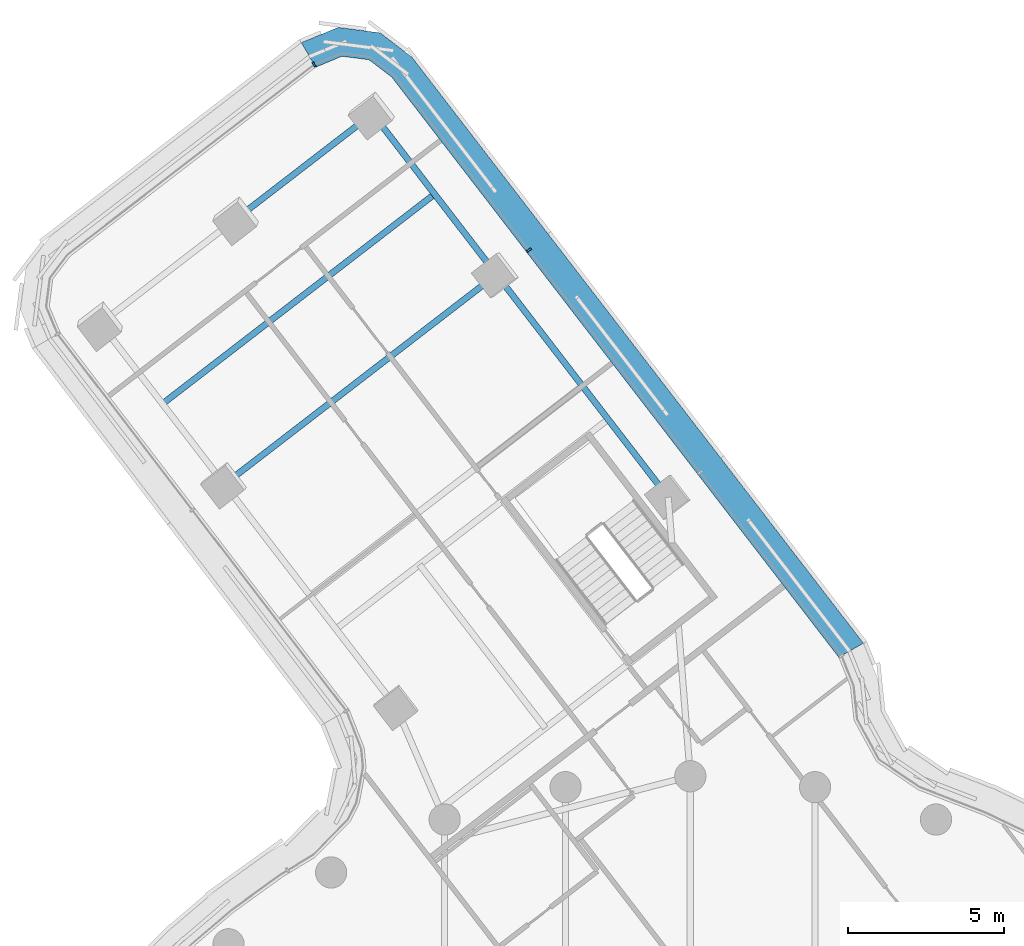
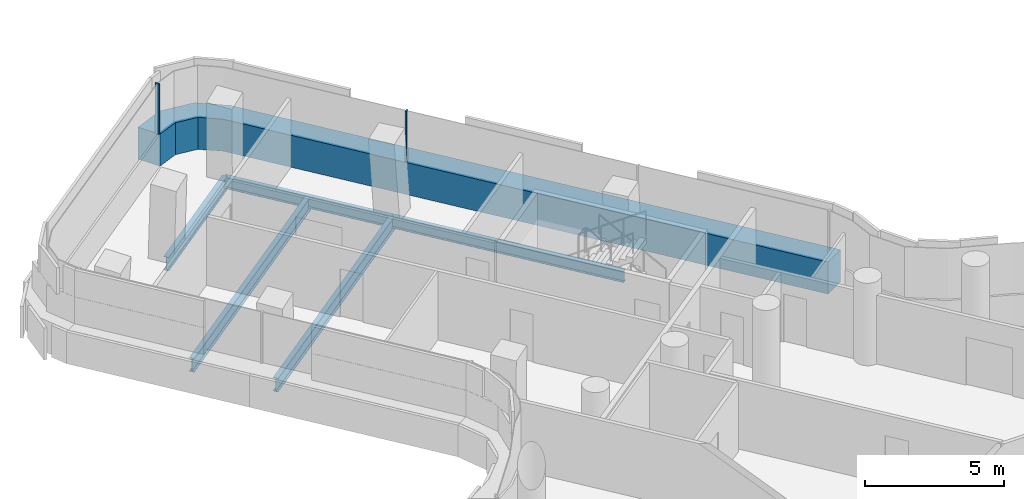
# One storey, part 16 of 33: 5 beams, 3 members, 2 elements without a shape of their own.
"""IFC4 building model written with IfcOpenShell, lengths in metres."""

import ifcopenshell
import ifcopenshell.guid

model = None  # the IFC model being written
_history = None  # IfcOwnerHistory: only IFC2X3 demands one
_inside = {}  # id of a spatial element -> (the spatial element, [elements in it])
_under = {}  # id of a project, library or spatial element -> (it, [spatial elements below it])
_declared = {}  # id of a project -> (the project, [libraries it declares])
_typed = {}  # id of a type object -> (the type object, [elements of that type])
_made_of = {}  # id of a material, layer set ... -> (it, [elements and type objects made of it])


def new_model(schema):
    """Start an empty IFC model of exactly this schema.

    Asked for "IFC4X3", IfcOpenShell would pick the latest addendum, in which some entities
    have other attributes; the version numbers below select the first issue.
    IFC2X3 requires an IfcOwnerHistory on every rooted entity: one is made here for all.
    """
    global model, _history
    if schema == "IFC4X3":
        model = ifcopenshell.file(schema_version=(4, 3, 0, 0))
    else:
        model = ifcopenshell.file(schema=schema)
    _inside.clear()
    _under.clear()
    _declared.clear()
    _typed.clear()
    _made_of.clear()
    _history = None
    if model.schema == "IFC2X3":
        org = make("IfcOrganization", Name="unknown")
        user = make(
            "IfcPersonAndOrganization",
            ThePerson=make("IfcPerson", FamilyName="unknown"),
            TheOrganization=org,
        )
        app = make(
            "IfcApplication",
            ApplicationDeveloper=org,
            Version="unknown",
            ApplicationFullName="unknown",
            ApplicationIdentifier="unknown",
        )
        _history = make(
            "IfcOwnerHistory",
            OwningUser=user,
            OwningApplication=app,
            ChangeAction="ADDED",
            CreationDate=0,
        )
    return model


def make(cls, **values):
    """One entity of the class cls with the attributes given. An attribute that is None is left unset."""
    return model.create_entity(
        cls, **{name: value for name, value in values.items() if value is not None}
    )


def rooted(cls, **values):
    """An entity with a GlobalId (a new one), such as an element, a storey or a relation."""
    return make(cls, GlobalId=ifcopenshell.guid.new(), OwnerHistory=_history, **values)


def si_unit(unit_type, name, prefix=None):
    """IfcSIUnit, for example si_unit("LENGTHUNIT", "METRE", prefix="MILLI")."""
    return make("IfcSIUnit", UnitType=unit_type, Prefix=prefix, Name=name)


def assignment(units):
    """IfcUnitAssignment: the units of a project."""
    return None if units is None else make("IfcUnitAssignment", Units=units)


def point(xyz):
    """IfcCartesianPoint."""
    return None if xyz is None else make("IfcCartesianPoint", Coordinates=xyz)


def direction(xyz):
    """IfcDirection."""
    return None if xyz is None else make("IfcDirection", DirectionRatios=xyz)


def frame(location, z_axis=None, x_axis=None):
    """IfcAxis2Placement3D, a coordinate frame: its origin and axes. An axis left out is left unset."""
    return make(
        "IfcAxis2Placement3D",
        Location=point(location),
        Axis=direction(z_axis),
        RefDirection=direction(x_axis),
    )


def frame_2d(location, x_axis=None):
    """IfcAxis2Placement2D, a coordinate frame in the plane: its origin and x axis."""
    return make(
        "IfcAxis2Placement2D", Location=point(location), RefDirection=direction(x_axis)
    )


def origin():
    """The frame at (0, 0, 0) with its axes left unset."""
    return frame((0.0, 0.0, 0.0))


def origin_2d():
    """The frame at (0, 0) in the plane with its x axis left unset."""
    return frame_2d((0.0, 0.0))


def place(relative_to, where):
    """IfcLocalPlacement: puts the frame where relative to a parent placement (None: the world)."""
    return make(
        "IfcLocalPlacement", PlacementRelTo=relative_to, RelativePlacement=where
    )


def context(
    kind, dimensions, precision=None, world=None, true_north=None, identifier=None
):
    """IfcGeometricRepresentationContext, for example the 3D "Model" context."""
    return make(
        "IfcGeometricRepresentationContext",
        ContextIdentifier=identifier,
        ContextType=kind,
        CoordinateSpaceDimension=dimensions,
        Precision=precision,
        WorldCoordinateSystem=world,
        TrueNorth=true_north,
    )


def subcontext(parent, identifier, kind, view, scale=None):
    """IfcGeometricRepresentationSubContext, for example "Body" below "Model"."""
    return make(
        "IfcGeometricRepresentationSubContext",
        ContextIdentifier=identifier,
        ContextType=kind,
        ParentContext=parent,
        TargetScale=scale,
        TargetView=view,
    )


def project(units=None, contexts=None):
    """IfcProject with its units and contexts."""
    return rooted(
        "IfcProject",
        Name="project",
        RepresentationContexts=contexts,
        UnitsInContext=assignment(units),
    )


def spatial(cls, under=None, at=None, **own):
    """A site, building, storey or space (cls), placed at a placement, below another one or the project."""
    s = rooted(cls, ObjectPlacement=at, **own)
    if under is not None:
        _under.setdefault(under.id(), (under, []))[1].append(s)
    return s


def polyline(points):
    """IfcPolyline through the points."""
    return make("IfcPolyline", Points=[point(p) for p in points])


def profile(cls, at=None, kind="AREA", **sizes):
    """A parametric profile (cls). Its sizes go by their IFC names, for example OverallWidth=200.0."""
    return make(cls, ProfileType=kind, Position=at, **sizes)


def rectangle(**sizes):
    """IfcRectangleProfileDef."""
    return profile("IfcRectangleProfileDef", **sizes)


def i_section(**sizes):
    """IfcIShapeProfileDef."""
    return profile("IfcIShapeProfileDef", **sizes)


def outline(outer, holes=None, kind="AREA"):
    """IfcArbitraryClosedProfileDef: a profile drawn as a closed curve; with holes, ...WithVoids."""
    if holes is None:
        return make("IfcArbitraryClosedProfileDef", ProfileType=kind, OuterCurve=outer)
    return make(
        "IfcArbitraryProfileDefWithVoids",
        ProfileType=kind,
        OuterCurve=outer,
        InnerCurves=holes,
    )


def extrude(swept, where, along, depth):
    """IfcExtrudedAreaSolid: the profile swept, set in the frame where, extruded along a direction by depth."""
    return make(
        "IfcExtrudedAreaSolid",
        SweptArea=swept,
        Position=where,
        ExtrudedDirection=direction(along),
        Depth=depth,
    )


def shape(context_of_items, identifier, shape_type, items):
    """IfcShapeRepresentation: the items that make up one representation, for example the "Body"."""
    return make(
        "IfcShapeRepresentation",
        ContextOfItems=context_of_items,
        RepresentationIdentifier=identifier,
        RepresentationType=shape_type,
        Items=items,
    )


def material(Name=None, Category=None):
    """IfcMaterial."""
    return make("IfcMaterial", Name=Name, Category=Category)


def layer(
    of_material, thickness, ventilated=None, Name=None, Category=None, Priority=None
):
    """IfcMaterialLayer: one layer of a wall or slab, of a material (None: an air gap)."""
    return make(
        "IfcMaterialLayer",
        Material=of_material,
        LayerThickness=thickness,
        IsVentilated=ventilated,
        Name=Name,
        Category=Category,
        Priority=Priority,
    )


def layer_set(layers, Name=None):
    """IfcMaterialLayerSet."""
    return make("IfcMaterialLayerSet", MaterialLayers=layers, LayerSetName=Name)


def material_profile(
    of_material, cross_section, Name=None, Category=None, Priority=None
):
    """IfcMaterialProfile: a cross section and its material."""
    return make(
        "IfcMaterialProfile",
        Name=Name,
        Material=of_material,
        Profile=cross_section,
        Priority=Priority,
        Category=Category,
    )


def profile_set(profiles, Name=None, composite=None):
    """IfcMaterialProfileSet."""
    return make(
        "IfcMaterialProfileSet",
        Name=Name,
        MaterialProfiles=profiles,
        CompositeProfile=composite,
    )


def made_of(thing, what):
    """Note that an element or type object is made of a material, layer set ...; save() writes the relation."""
    if what is not None:
        _made_of.setdefault(what.id(), (what, []))[1].append(thing)
    return thing


def type_object(cls, material=None, **own):
    """A type object (cls), such as IfcWallType, which elements share."""
    return made_of(rooted(cls, **own), material)


def element(
    cls,
    number,
    at=None,
    inside=None,
    cuts=None,
    type_object=None,
    material=None,
    context=None,
    identifier="Body",
    shape_type=None,
    held_by="IfcProductDefinitionShape",
    body=None,
    shapes=None,
    **own,
):
    """One element of the class cls, such as IfcWall. Its Tag is "e" and its number.

    at: its placement. inside: the storey or other place that contains it. cuts: it is an
    opening in that element (IfcRelVoidsElement). A single representation is given by context,
    identifier, shape_type and body (its items); several are given by shapes. held_by: the class
    of the entity that holds the representations. save() writes the other relations.
    """
    e = rooted(cls, Tag="e%d" % number, ObjectPlacement=at, **own)
    if body is not None:
        shapes = [shape(context, identifier, shape_type, body)]
    if shapes is not None:
        e.Representation = make(held_by, Representations=shapes)
    if inside is not None:
        _inside.setdefault(inside.id(), (inside, []))[1].append(e)
    if cuts is not None:
        rooted(
            "IfcRelVoidsElement", RelatingBuildingElement=cuts, RelatedOpeningElement=e
        )
    if type_object is not None:
        _typed.setdefault(type_object.id(), (type_object, []))[1].append(e)
    return made_of(e, material)


def aggregate(whole, parts):
    """IfcRelAggregates: a whole, such as a stair, and the parts it consists of."""
    return rooted("IfcRelAggregates", RelatingObject=whole, RelatedObjects=parts)


def save(model, path):
    """Write the relations noted so far, then the file.

    IfcRelAggregates (storeys below a building ...), IfcRelContainedInSpatialStructure (elements
    in a storey), IfcRelDefinesByType, IfcRelAssociatesMaterial and IfcRelDeclares: one each for
    every whole, place, type object, material and project.
    """
    for whole, parts in _under.values():
        aggregate(whole, parts)
    for where, things in _inside.values():
        rooted(
            "IfcRelContainedInSpatialStructure",
            RelatedElements=things,
            RelatingStructure=where,
        )
    for kind, things in _typed.values():
        rooted("IfcRelDefinesByType", RelatedObjects=things, RelatingType=kind)
    for what, things in _made_of.values():
        rooted("IfcRelAssociatesMaterial", RelatedObjects=things, RelatingMaterial=what)
    for by, libraries in _declared.values():
        rooted("IfcRelDeclares", RelatingContext=by, RelatedDefinitions=libraries)
    model.write(path)


model = new_model("IFC4")

# Units and contexts
model_context = context("Model", 3, precision=1e-05, world=origin(), true_north=direction((0.0, 1.0)))
body_context = subcontext(model_context, "Body", "Model", "MODEL_VIEW")
ifc_project = project(units=[si_unit("LENGTHUNIT", "METRE"), si_unit("AREAUNIT", "SQUARE_METRE"), si_unit("VOLUMEUNIT", "CUBIC_METRE"), si_unit("PLANEANGLEUNIT", "RADIAN"), si_unit("MASSUNIT", "GRAM", prefix="KILO")], contexts=[model_context])

# Site, building, storey
site_placement = place(None, origin())
site = spatial("IfcSite", under=ifc_project, at=site_placement, CompositionType="ELEMENT")
building_placement = place(site_placement, origin())
building = spatial("IfcBuilding", under=site, at=building_placement, Name="Tamarind Cross Interchange Tower", CompositionType="ELEMENT")
storey_placement = place(building_placement, frame((0.0, 0.0, 170.5)))
storey = spatial("IfcBuildingStorey", under=building, at=storey_placement, Name="L42", CompositionType="ELEMENT", Elevation=170.5)

# Beams
ifc_material_1 = material(Name="Steel Q355B", Category="steel")
ifc_material_profile_1 = material_profile(ifc_material_1, i_section(OverallWidth=0.198974609375, OverallDepth=0.49609375, WebThickness=0.009033203125, FlangeThickness=0.013916015625, FilletRadius=0.012939453125, at=origin_2d()), Name="HN 496x199x9x14")
ifc_profile_set_1 = profile_set([ifc_material_profile_1], Name="Steel Q355B")
beam_type_1 = type_object("IfcBeamType", Name="Composite beam HN 496x199x9x14 Q355B", PredefinedType="BEAM", material=ifc_profile_set_1)
beam_1_placement = place(storey_placement, frame((-10.17138671875, 44.21337890625, -0.387939453125), z_axis=(0.610327330684, -0.792149322679, 0.0), x_axis=(0.792149322679, 0.610327330684, 0.0)))
element("IfcBeam", 1, at=beam_1_placement, inside=storey, type_object=beam_type_1, Name="Beam N-edgeem5", PredefinedType="BEAM", context=body_context, shape_type="SweptSolid", body=[
    extrude(i_section(OverallWidth=0.198974609375, OverallDepth=0.49609375, WebThickness=0.009033203125, FlangeThickness=0.013916015625, FilletRadius=0.012939453125, at=origin_2d()), origin(), (0.0, 0.0, 1.0), 6.504150390625),
])
beam_2_placement = place(storey_placement, frame((-6.20166015625, 39.06103515625, -0.387939453125), z_axis=(0.610322794486, -0.792152817662, 0.0), x_axis=(0.792152817662, 0.610322794486, 0.0)))
element("IfcBeam", 2, at=beam_2_placement, inside=storey, type_object=beam_type_1, Name="Beam N-edgeem6", PredefinedType="BEAM", context=body_context, shape_type="SweptSolid", body=[
    extrude(i_section(OverallWidth=0.198974609375, OverallDepth=0.49609375, WebThickness=0.009033203125, FlangeThickness=0.013916015625, FilletRadius=0.012939453125, at=origin_2d()), origin(), (0.0, 0.0, 1.0), 9.0),
])
ifc_material_profile_2 = material_profile(ifc_material_1, i_section(OverallWidth=0.199951171875, OverallDepth=0.60009765625, WebThickness=0.010986328125, FlangeThickness=0.01708984375, FilletRadius=0.012939453125, at=origin_2d()), Name="HN 600x200x11x17")
ifc_profile_set_2 = profile_set([ifc_material_profile_2], Name="Steel Q355B")
beam_type_2 = type_object("IfcBeamType", Name="Composite beam HN 600x200x11x17 Q355B", PredefinedType="BEAM", material=ifc_profile_set_2)
beam_3_placement = place(storey_placement, frame((-10.17138671875, 44.21337890625, -0.43994140625), z_axis=(-0.792145214472, -0.610332662725, 0.0), x_axis=(0.610332662725, -0.792145214472, 0.0)))
element("IfcBeam", 3, at=beam_3_placement, inside=storey, type_object=beam_type_2, Name="Beam N-tip0", PredefinedType="BEAM", context=body_context, shape_type="SweptSolid", body=[
    extrude(i_section(OverallWidth=0.199951171875, OverallDepth=0.60009765625, WebThickness=0.010986328125, FlangeThickness=0.01708984375, FilletRadius=0.012939453125, at=origin_2d()), origin(), (0.0, 0.0, 1.0), 5.500244140625),
])
beam_4_placement = place(storey_placement, frame((-6.20166015625, 39.06103515625, -0.43994140625), z_axis=(-0.792155944634, -0.610318735893, 0.0), x_axis=(0.610318735893, -0.792155944634, 0.0)))
element("IfcBeam", 4, at=beam_4_placement, inside=storey, type_object=beam_type_2, Name="Beam N-x393", PredefinedType="BEAM", context=body_context, shape_type="SweptSolid", body=[
    extrude(i_section(OverallWidth=0.199951171875, OverallDepth=0.60009765625, WebThickness=0.010986328125, FlangeThickness=0.01708984375, FilletRadius=0.012939453125, at=origin_2d()), origin(), (0.0, 0.0, 1.0), 11.000244140625),
])
beam_5_placement = place(storey_placement, frame((-8.1865234375, 41.63720703125, -0.43994140625), z_axis=(-0.792147677315, -0.61032946621, 0.0), x_axis=(0.61032946621, -0.792147677315, 0.0)))
element("IfcBeam", 5, at=beam_5_placement, inside=storey, type_object=beam_type_2, Name="Beam N-x426", PredefinedType="BEAM", context=body_context, shape_type="SweptSolid", body=[
    extrude(i_section(OverallWidth=0.199951171875, OverallDepth=0.60009765625, WebThickness=0.010986328125, FlangeThickness=0.01708984375, FilletRadius=0.012939453125, at=origin_2d()), origin(), (0.0, 0.0, 1.0), 11.0),
])

# Curtain wall, members
ifc_material_2 = material(Name="Aluminium 6063-T6", Category="aluminium")
ifc_layer = layer(ifc_material_2, 0.159912109375)
ifc_layer_set = layer_set([ifc_layer], Name="Aluminium 6063-T6")
curtain_wall_type = type_object("IfcCurtainWallType", Name="Office curtain wall, 9.0 m bays", PredefinedType="NOTDEFINED", material=ifc_layer_set)
curtain_wall_1_placement = place(storey_placement, origin())
curtain_wall_1 = element("IfcCurtainWall", 6, at=curtain_wall_1_placement, inside=storey, type_object=curtain_wall_type, Name="CWS-L42-03", PredefinedType="NOTDEFINED")
ifc_material_3 = material(Name="Aluminium and insulated spandrel panel", Category="aluminium")
member_type_1 = type_object("IfcMemberType", Name="Floor-edge blade transom", PredefinedType="USERDEFINED", material=ifc_material_3)
member_1_placement = place(storey_placement, origin())
member_1 = element("IfcMember", 7, at=member_1_placement, type_object=member_type_1, Name="CWT-L42-03", ObjectType="TRANSOM", PredefinedType="USERDEFINED", context=body_context, shape_type="SweptSolid", body=[
    extrude(outline(polyline([(4.75390625, 26.8076171875), (-9.558349609375, 45.3837890625), (-10.28564453125, 45.939697265625), (-11.15283203125, 46.052001953125), (-11.997802734375, 45.699951171875), (-12.453369140625, 46.4853515625), (-11.2763671875, 46.9755859375), (-9.9306640625, 46.801025390625), (-8.917724609375, 46.02685546875), (5.542724609375, 27.25830078125), (4.75390625, 26.8076171875)])), origin(), (0.0, 0.0, 1.0), 1.39990234375),
])
ifc_material_profile_3 = material_profile(ifc_material_2, rectangle(XDim=0.06005859375, YDim=0.159912109375, at=origin_2d()), Name="Mullion CW1")
ifc_profile_set_3 = profile_set([ifc_material_profile_3], Name="Aluminium 6063-T6")
member_type_2 = type_object("IfcMemberType", Name="Mullion CW1", PredefinedType="MULLION", material=ifc_profile_set_3)
member_2_placement = place(storey_placement, frame((-5.165771484375, 39.846435546875, 1.39990234375), z_axis=(0.0, 0.0, 1.0), x_axis=(-0.610322147879, 0.792153315847, 0.0)))
member_2 = element("IfcMember", 8, at=member_2_placement, type_object=member_type_2, Name="CWM-L42-03-02", PredefinedType="MULLION", context=body_context, shape_type="SweptSolid", body=[
    extrude(rectangle(XDim=0.06005859375, YDim=0.159912109375, at=origin_2d()), origin(), (0.0, 0.0, 1.0), 2.210205078125),
])
aggregate(curtain_wall_1, [member_2, member_1])

# Curtain wall, member
curtain_wall_2_placement = place(storey_placement, origin())
curtain_wall_2 = element("IfcCurtainWall", 9, at=curtain_wall_2_placement, inside=storey, type_object=curtain_wall_type, Name="CWS-L42-04", PredefinedType="NOTDEFINED")
member_3_placement = place(storey_placement, frame((-12.048583984375, 45.787353515625, 1.39990234375), z_axis=(0.0, 0.0, 1.0), x_axis=(-0.865039360407, -0.501704001325, 0.0)))
member_3 = element("IfcMember", 10, at=member_3_placement, type_object=member_type_2, Name="CWM-L42-04-00", PredefinedType="MULLION", context=body_context, shape_type="SweptSolid", body=[
    extrude(rectangle(XDim=0.06005859375, YDim=0.159912109375, at=origin_2d()), origin(), (0.0, 0.0, 1.0), 2.210205078125),
])
aggregate(curtain_wall_2, [member_3])

save(model, "model.ifc")
